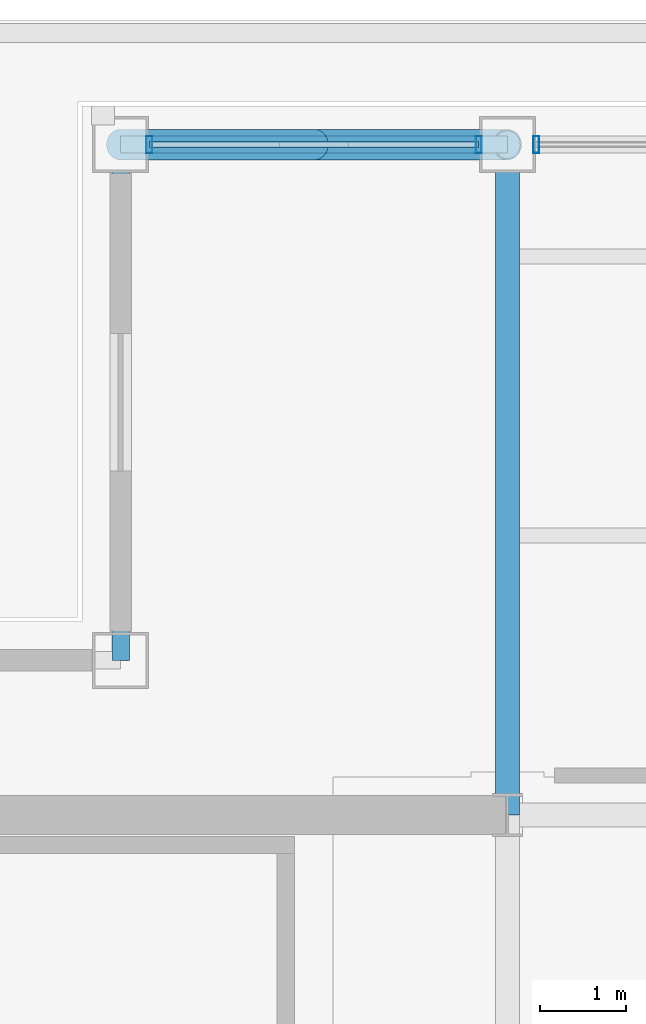
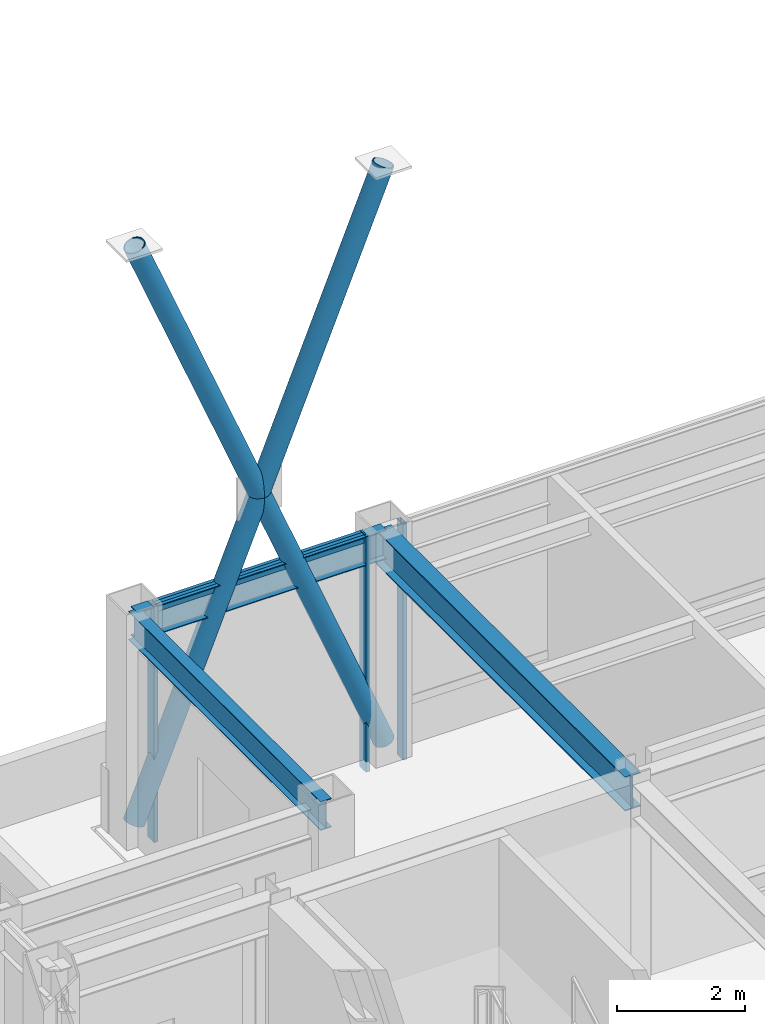
# One storey, part 11 of 19: 7 members, 3 beams, 2 elements without a shape of their own.
"""IFC4 building model written with IfcOpenShell, lengths in metres."""

from ifc_helpers import new_model, si_unit, direction, frame, origin, origin_2d, place, context, subcontext, project, spatial, hollow_rectangle, hollow_circle, i_section, extrude, material, layer, layer_set, material_profile, profile_set, type_object, element, aggregate, save


model = new_model("IFC4")

# Units and contexts
model_context = context("Model", 3, precision=1e-05, world=origin(), true_north=direction((0.0, 1.0)))
body_context = subcontext(model_context, "Body", "Model", "MODEL_VIEW")
ifc_project = project(units=[si_unit("LENGTHUNIT", "METRE"), si_unit("AREAUNIT", "SQUARE_METRE"), si_unit("VOLUMEUNIT", "CUBIC_METRE"), si_unit("PLANEANGLEUNIT", "RADIAN"), si_unit("MASSUNIT", "GRAM", prefix="KILO")], contexts=[model_context])

# Site, building, storey
site_placement = place(None, origin())
site = spatial("IfcSite", under=ifc_project, at=site_placement, CompositionType="ELEMENT")
building_placement = place(site_placement, origin())
building = spatial("IfcBuilding", under=site, at=building_placement, Name="Brelmoor Portico Tower", CompositionType="ELEMENT")
storey_placement = place(building_placement, frame((0.0, 0.0, 213.89990234375)))
storey = spatial("IfcBuildingStorey", under=building, at=storey_placement, Name="L56", CompositionType="ELEMENT", Elevation=213.89990234375)

# Beams
ifc_material_1 = material(Name="Steel Q355B", Category="steel")
ifc_material_profile_1 = material_profile(ifc_material_1, i_section(OverallWidth=0.280029296875, OverallDepth=0.64990234375, WebThickness=0.012939453125, FlangeThickness=0.02197265625, at=origin_2d()), Name="HN 650x280x13x22")
ifc_profile_set_1 = profile_set([ifc_material_profile_1], Name="Steel Q355B")
beam_type_1 = type_object("IfcBeamType", Name="BM-PG-650", PredefinedType="BEAM", material=ifc_profile_set_1)
beam_1_placement = place(storey_placement, frame((-8.050048828125, 9.75, 3.97509765625), z_axis=(0.0, 1.0, 0.0), x_axis=(-1.0, 0.0, 0.0)))
element("IfcBeam", 1, at=beam_1_placement, inside=storey, type_object=beam_type_1, Name="L56 Primary Floor Girder PG-05", PredefinedType="BEAM", context=body_context, shape_type="SweptSolid", body=[
    extrude(i_section(OverallWidth=0.280029296875, OverallDepth=0.64990234375, WebThickness=0.012939453125, FlangeThickness=0.02197265625, at=origin_2d()), origin(), (0.0, 0.0, 1.0), 7.800048828125),
])
ifc_material_profile_2 = material_profile(ifc_material_1, i_section(OverallWidth=0.199951171875, OverallDepth=0.550048828125, WebThickness=0.010009765625, FlangeThickness=0.01611328125, at=origin_2d()), Name="HN 550x200x10x16")
ifc_profile_set_2 = profile_set([ifc_material_profile_2], Name="Steel Q355B")
beam_type_2 = type_object("IfcBeamType", Name="BM-SP-550", PredefinedType="SPANDREL", material=ifc_profile_set_2)
beam_2_placement = place(storey_placement, frame((-12.550048828125, 17.550048828125, 4.025146484375), z_axis=(1.0, 0.0, 0.0), x_axis=(0.0, 1.0, 0.0)))
element("IfcBeam", 2, at=beam_2_placement, inside=storey, type_object=beam_type_2, Name="L56 Perimeter Spandrel Beam SP-08", PredefinedType="SPANDREL", context=body_context, shape_type="SweptSolid", body=[
    extrude(i_section(OverallWidth=0.199951171875, OverallDepth=0.550048828125, WebThickness=0.010009765625, FlangeThickness=0.01611328125, at=origin_2d()), origin(), (0.0, 0.0, 1.0), 4.5),
])
beam_3_placement = place(storey_placement, frame((-12.550048828125, 11.550048828125, 4.025146484375), z_axis=(0.0, 1.0, 0.0), x_axis=(-1.0, 0.0, 0.0)))
element("IfcBeam", 3, at=beam_3_placement, inside=storey, type_object=beam_type_2, Name="L56 Perimeter Spandrel Beam SP-15", PredefinedType="SPANDREL", context=body_context, shape_type="SweptSolid", body=[
    extrude(i_section(OverallWidth=0.199951171875, OverallDepth=0.550048828125, WebThickness=0.010009765625, FlangeThickness=0.01611328125, at=origin_2d()), origin(), (0.0, 0.0, 1.0), 6.0),
])

# Members
ifc_material_profile_3 = material_profile(ifc_material_1, hollow_circle(Radius=0.177978515625, WallThickness=0.01611328125, at=origin_2d()), Name="CHS 356x16")
ifc_profile_set_3 = profile_set([ifc_material_profile_3], Name="Steel Q355B")
member_type_1 = type_object("IfcMemberType", Name="MB-BELT-DIAG2", PredefinedType="BRACE", material=ifc_profile_set_3)
member_1_placement = place(storey_placement, frame((-12.550048828125, 17.550048828125, 0.25), z_axis=(0.378632845721, 0.0, 0.925546956206), x_axis=(0.0, 1.0, 0.0)))
element("IfcMember", 4, at=member_1_placement, inside=storey, type_object=member_type_1, Name="L56 Continuous Mega-X Brace 130A", PredefinedType="BRACE", context=body_context, shape_type="SweptSolid", body=[
    extrude(hollow_circle(Radius=0.177978515625, WallThickness=0.01611328125, at=origin_2d()), origin(), (0.0, 0.0, 1.0), 11.884765625),
])
for number, where, z_axis, x_axis, name in (
    (5, (-8.050048828125, 17.550048828125, 0.25), (-0.378632845721, 0.0, 0.925546956206), (0.0, -1.0, 0.0), "L56 Split Mega-X Brace 130B1"),
    (6, (-10.300048828125, 17.550048828125, 5.75), (-0.378632845721, 0.0, 0.925546956206), (0.0, -1.0, 0.0), "L56 Split Mega-X Brace 130B2"),
):
    element("IfcMember", number, at=place(storey_placement, frame(where, z_axis=z_axis, x_axis=x_axis)), inside=storey, type_object=member_type_1, Name=name, PredefinedType="BRACE", context=body_context, shape_type="SweptSolid", body=[
        extrude(hollow_circle(Radius=0.177978515625, WallThickness=0.01611328125, at=origin_2d()), origin(), (0.0, 0.0, 1.0), 5.9423828125),
    ])

# Curtain wall, members
ifc_material_2 = material(Name="Anodised Aluminium Alloy 6063-T6", Category="aluminium")
ifc_layer_1 = layer(ifc_material_2, 0.179931640625)
ifc_layer_set_1 = layer_set([ifc_layer_1], Name="Anodised Aluminium Alloy 6063-T6")
curtain_wall_type_1 = type_object("IfcCurtainWallType", Name="CW-SKYLOBBY-XB", PredefinedType="NOTDEFINED", material=ifc_layer_set_1)
curtain_wall_1_placement = place(storey_placement, origin())
curtain_wall_1 = element("IfcCurtainWall", 7, at=curtain_wall_1_placement, inside=storey, type_object=curtain_wall_type_1, Name="L56 Curtain Wall CW-L56-02-1", PredefinedType="NOTDEFINED")
ifc_material_profile_4 = material_profile(ifc_material_2, hollow_rectangle(XDim=0.070068359375, YDim=0.199951171875, WallThickness=0.00439453125, at=origin_2d()), Name="ALU MULLION 70x200")
ifc_profile_set_4 = profile_set([ifc_material_profile_4], Name="Anodised Aluminium Alloy 6063-T6")
member_type_2 = type_object("IfcMemberType", Name="MB-CW-MULL-200", PredefinedType="MULLION", material=ifc_profile_set_4)
member_2_placement = place(storey_placement, frame((-12.215087890625, 17.550048828125, -0.199951171875), z_axis=(0.0, 0.0, 1.0), x_axis=(1.0, 0.0, 0.0)))
member_2 = element("IfcMember", 8, at=member_2_placement, type_object=member_type_2, Name="CW-L56-02-1 Mullion 00", PredefinedType="MULLION", context=body_context, shape_type="SweptSolid", body=[
    extrude(hollow_rectangle(XDim=0.070068359375, YDim=0.199951171875, WallThickness=0.00439453125, at=origin_2d()), origin(), (0.0, 0.0, 1.0), 4.5),
])
member_3_placement = place(storey_placement, frame((-8.385009765625, 17.550048828125, -0.199951171875), z_axis=(0.0, 0.0, 1.0), x_axis=(1.0, 0.0, 0.0)))
member_3 = element("IfcMember", 9, at=member_3_placement, type_object=member_type_2, Name="CW-L56-02-1 Mullion 01", PredefinedType="MULLION", context=body_context, shape_type="SweptSolid", body=[
    extrude(hollow_rectangle(XDim=0.070068359375, YDim=0.199951171875, WallThickness=0.00439453125, at=origin_2d()), origin(), (0.0, 0.0, 1.0), 4.5),
])

# Curtain wall, member
ifc_layer_2 = layer(ifc_material_2, 0.179931640625)
ifc_layer_set_2 = layer_set([ifc_layer_2], Name="Anodised Aluminium Alloy 6063-T6")
curtain_wall_type_2 = type_object("IfcCurtainWallType", Name="CW-SKYLOBBY", PredefinedType="NOTDEFINED", material=ifc_layer_set_2)
curtain_wall_2_placement = place(storey_placement, origin())
curtain_wall_2 = element("IfcCurtainWall", 10, at=curtain_wall_2_placement, inside=storey, type_object=curtain_wall_type_2, Name="L56 Curtain Wall CW-L56-02-2", PredefinedType="NOTDEFINED")
member_4_placement = place(storey_placement, frame((-7.715087890625, 17.550048828125, -0.199951171875), z_axis=(0.0, 0.0, 1.0), x_axis=(1.0, 0.0, 0.0)))
member_4 = element("IfcMember", 11, at=member_4_placement, type_object=member_type_2, Name="CW-L56-02-2 Mullion 00", PredefinedType="MULLION", context=body_context, shape_type="SweptSolid", body=[
    extrude(hollow_rectangle(XDim=0.070068359375, YDim=0.199951171875, WallThickness=0.00439453125, at=origin_2d()), origin(), (0.0, 0.0, 1.0), 4.5),
])
aggregate(curtain_wall_2, [member_4])

# Member
ifc_material_profile_5 = material_profile(ifc_material_2, hollow_rectangle(XDim=0.070068359375, YDim=0.159912109375, WallThickness=0.00390625, at=origin_2d()), Name="ALU TRANSOM 70x160")
ifc_profile_set_5 = profile_set([ifc_material_profile_5], Name="Anodised Aluminium Alloy 6063-T6")
member_type_3 = type_object("IfcMemberType", Name="MB-CW-TRAN-160", PredefinedType="USERDEFINED", material=ifc_profile_set_5)
member_5_placement = place(storey_placement, frame((-12.215087890625, 17.550048828125, 4.22021484375), z_axis=(1.0, 0.0, 0.0), x_axis=(0.0, 1.0, 0.0)))
member_5 = element("IfcMember", 12, at=member_5_placement, type_object=member_type_3, Name="CW-L56-02-1 Transom 1-00", ObjectType="TRANSOM", PredefinedType="USERDEFINED", context=body_context, shape_type="SweptSolid", body=[
    extrude(hollow_rectangle(XDim=0.070068359375, YDim=0.159912109375, WallThickness=0.00390625, at=origin_2d()), origin(), (0.0, 0.0, 1.0), 3.830078125),
])

aggregate(curtain_wall_1, [member_2, member_3, member_5])

save(model, "model.ifc")
